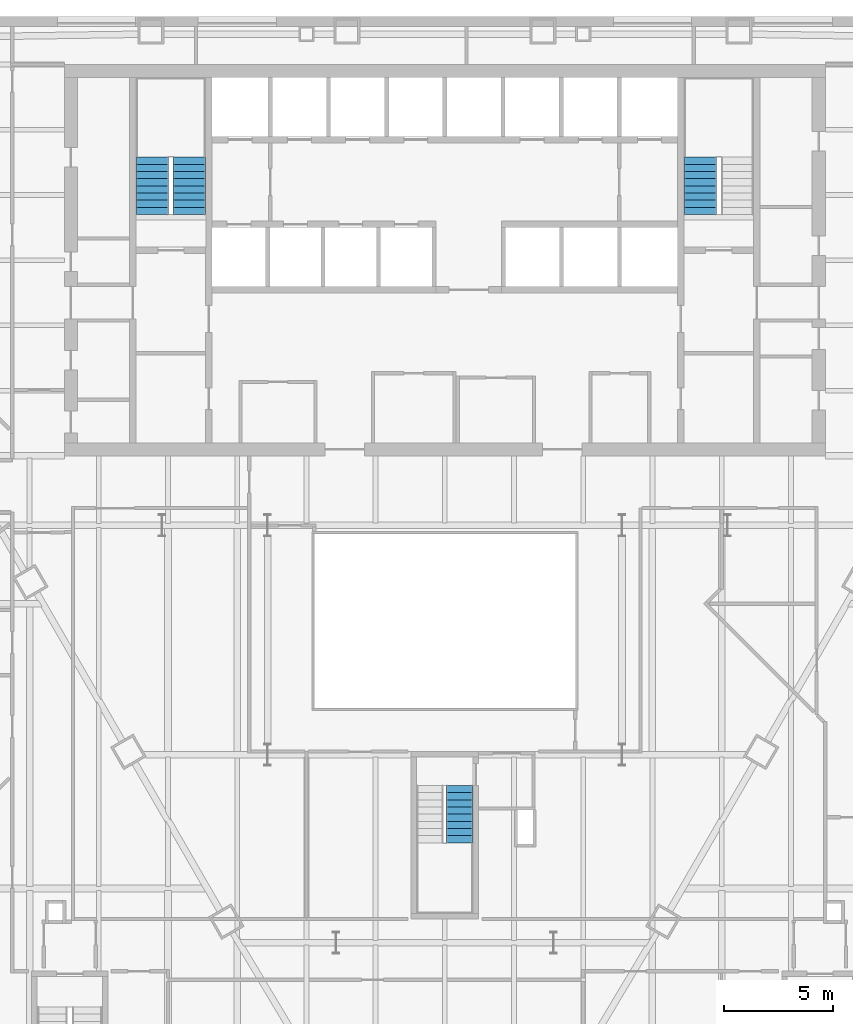
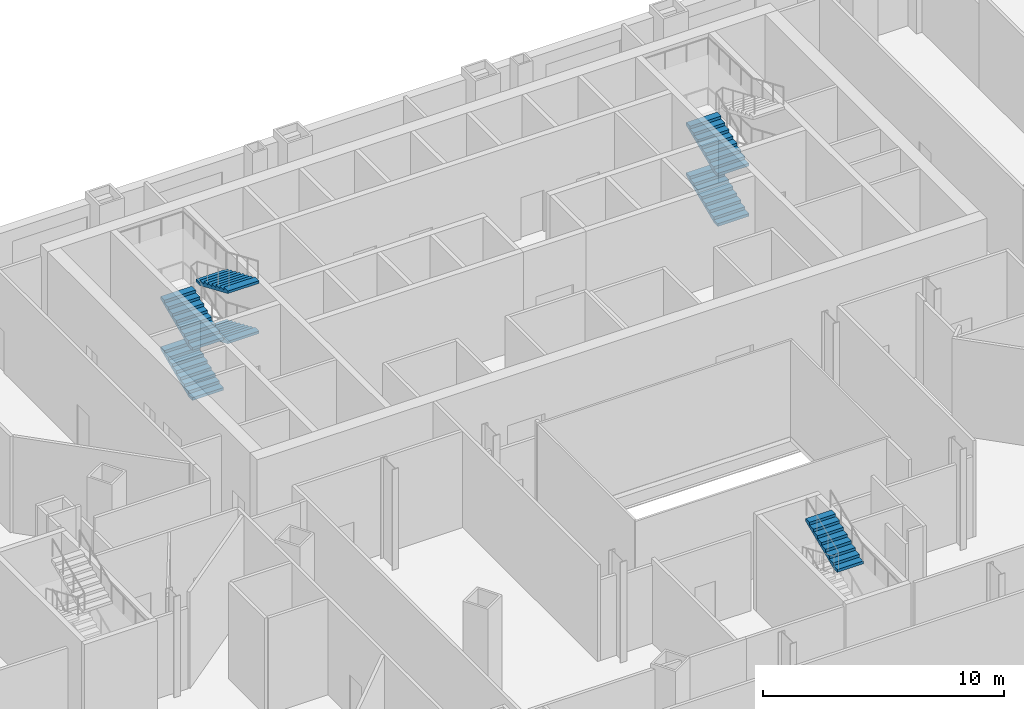
# One storey, part 18 of 21: 7 stair flights, 3 elements without a shape of their own.
"""IFC4 building model written with IfcOpenShell, lengths in metres."""

import ifcopenshell
import ifcopenshell.guid

model = None  # the IFC model being written
_history = None  # IfcOwnerHistory: only IFC2X3 demands one
_inside = {}  # id of a spatial element -> (the spatial element, [elements in it])
_under = {}  # id of a project, library or spatial element -> (it, [spatial elements below it])
_declared = {}  # id of a project -> (the project, [libraries it declares])
_typed = {}  # id of a type object -> (the type object, [elements of that type])
_made_of = {}  # id of a material, layer set ... -> (it, [elements and type objects made of it])


def new_model(schema):
    """Start an empty IFC model of exactly this schema.

    Asked for "IFC4X3", IfcOpenShell would pick the latest addendum, in which some entities
    have other attributes; the version numbers below select the first issue.
    IFC2X3 requires an IfcOwnerHistory on every rooted entity: one is made here for all.
    """
    global model, _history
    if schema == "IFC4X3":
        model = ifcopenshell.file(schema_version=(4, 3, 0, 0))
    else:
        model = ifcopenshell.file(schema=schema)
    _inside.clear()
    _under.clear()
    _declared.clear()
    _typed.clear()
    _made_of.clear()
    _history = None
    if model.schema == "IFC2X3":
        org = make("IfcOrganization", Name="unknown")
        user = make(
            "IfcPersonAndOrganization",
            ThePerson=make("IfcPerson", FamilyName="unknown"),
            TheOrganization=org,
        )
        app = make(
            "IfcApplication",
            ApplicationDeveloper=org,
            Version="unknown",
            ApplicationFullName="unknown",
            ApplicationIdentifier="unknown",
        )
        _history = make(
            "IfcOwnerHistory",
            OwningUser=user,
            OwningApplication=app,
            ChangeAction="ADDED",
            CreationDate=0,
        )
    return model


def make(cls, **values):
    """One entity of the class cls with the attributes given. An attribute that is None is left unset."""
    return model.create_entity(
        cls, **{name: value for name, value in values.items() if value is not None}
    )


def rooted(cls, **values):
    """An entity with a GlobalId (a new one), such as an element, a storey or a relation."""
    return make(cls, GlobalId=ifcopenshell.guid.new(), OwnerHistory=_history, **values)


def si_unit(unit_type, name, prefix=None):
    """IfcSIUnit, for example si_unit("LENGTHUNIT", "METRE", prefix="MILLI")."""
    return make("IfcSIUnit", UnitType=unit_type, Prefix=prefix, Name=name)


def assignment(units):
    """IfcUnitAssignment: the units of a project."""
    return None if units is None else make("IfcUnitAssignment", Units=units)


def point(xyz):
    """IfcCartesianPoint."""
    return None if xyz is None else make("IfcCartesianPoint", Coordinates=xyz)


def direction(xyz):
    """IfcDirection."""
    return None if xyz is None else make("IfcDirection", DirectionRatios=xyz)


def frame(location, z_axis=None, x_axis=None):
    """IfcAxis2Placement3D, a coordinate frame: its origin and axes. An axis left out is left unset."""
    return make(
        "IfcAxis2Placement3D",
        Location=point(location),
        Axis=direction(z_axis),
        RefDirection=direction(x_axis),
    )


def origin():
    """The frame at (0, 0, 0) with its axes left unset."""
    return frame((0.0, 0.0, 0.0))


def place(relative_to, where):
    """IfcLocalPlacement: puts the frame where relative to a parent placement (None: the world)."""
    return make(
        "IfcLocalPlacement", PlacementRelTo=relative_to, RelativePlacement=where
    )


def context(
    kind, dimensions, precision=None, world=None, true_north=None, identifier=None
):
    """IfcGeometricRepresentationContext, for example the 3D "Model" context."""
    return make(
        "IfcGeometricRepresentationContext",
        ContextIdentifier=identifier,
        ContextType=kind,
        CoordinateSpaceDimension=dimensions,
        Precision=precision,
        WorldCoordinateSystem=world,
        TrueNorth=true_north,
    )


def subcontext(parent, identifier, kind, view, scale=None):
    """IfcGeometricRepresentationSubContext, for example "Body" below "Model"."""
    return make(
        "IfcGeometricRepresentationSubContext",
        ContextIdentifier=identifier,
        ContextType=kind,
        ParentContext=parent,
        TargetScale=scale,
        TargetView=view,
    )


def project(units=None, contexts=None):
    """IfcProject with its units and contexts."""
    return rooted(
        "IfcProject",
        Name="project",
        RepresentationContexts=contexts,
        UnitsInContext=assignment(units),
    )


def spatial(cls, under=None, at=None, **own):
    """A site, building, storey or space (cls), placed at a placement, below another one or the project."""
    s = rooted(cls, ObjectPlacement=at, **own)
    if under is not None:
        _under.setdefault(under.id(), (under, []))[1].append(s)
    return s


def point_list(points):
    """IfcCartesianPointList2D or 3D."""
    cls = (
        "IfcCartesianPointList2D" if len(points[0]) == 2 else "IfcCartesianPointList3D"
    )
    return make(cls, CoordList=points)


def polygons(points, faces, closed=None, point_numbers=None):
    """IfcPolygonalFaceSet: a face is its outer loop, then its inner loops; points numbered from 1."""
    made = []
    for loops in faces:
        if len(loops) == 1:
            made.append(make("IfcIndexedPolygonalFace", CoordIndex=loops[0]))
        else:
            made.append(
                make(
                    "IfcIndexedPolygonalFaceWithVoids",
                    CoordIndex=loops[0],
                    InnerCoordIndices=loops[1:],
                )
            )
    return make(
        "IfcPolygonalFaceSet",
        Coordinates=point_list(points),
        Closed=closed,
        Faces=made,
        PnIndex=point_numbers,
    )


def shape(context_of_items, identifier, shape_type, items):
    """IfcShapeRepresentation: the items that make up one representation, for example the "Body"."""
    return make(
        "IfcShapeRepresentation",
        ContextOfItems=context_of_items,
        RepresentationIdentifier=identifier,
        RepresentationType=shape_type,
        Items=items,
    )


def material(Name=None, Category=None):
    """IfcMaterial."""
    return make("IfcMaterial", Name=Name, Category=Category)


def made_of(thing, what):
    """Note that an element or type object is made of a material, layer set ...; save() writes the relation."""
    if what is not None:
        _made_of.setdefault(what.id(), (what, []))[1].append(thing)
    return thing


def type_object(cls, material=None, **own):
    """A type object (cls), such as IfcWallType, which elements share."""
    return made_of(rooted(cls, **own), material)


def element(
    cls,
    number,
    at=None,
    inside=None,
    cuts=None,
    type_object=None,
    material=None,
    context=None,
    identifier="Body",
    shape_type=None,
    held_by="IfcProductDefinitionShape",
    body=None,
    shapes=None,
    **own,
):
    """One element of the class cls, such as IfcWall. Its Tag is "e" and its number.

    at: its placement. inside: the storey or other place that contains it. cuts: it is an
    opening in that element (IfcRelVoidsElement). A single representation is given by context,
    identifier, shape_type and body (its items); several are given by shapes. held_by: the class
    of the entity that holds the representations. save() writes the other relations.
    """
    e = rooted(cls, Tag="e%d" % number, ObjectPlacement=at, **own)
    if body is not None:
        shapes = [shape(context, identifier, shape_type, body)]
    if shapes is not None:
        e.Representation = make(held_by, Representations=shapes)
    if inside is not None:
        _inside.setdefault(inside.id(), (inside, []))[1].append(e)
    if cuts is not None:
        rooted(
            "IfcRelVoidsElement", RelatingBuildingElement=cuts, RelatedOpeningElement=e
        )
    if type_object is not None:
        _typed.setdefault(type_object.id(), (type_object, []))[1].append(e)
    return made_of(e, material)


def aggregate(whole, parts):
    """IfcRelAggregates: a whole, such as a stair, and the parts it consists of."""
    return rooted("IfcRelAggregates", RelatingObject=whole, RelatedObjects=parts)


def save(model, path):
    """Write the relations noted so far, then the file.

    IfcRelAggregates (storeys below a building ...), IfcRelContainedInSpatialStructure (elements
    in a storey), IfcRelDefinesByType, IfcRelAssociatesMaterial and IfcRelDeclares: one each for
    every whole, place, type object, material and project.
    """
    for whole, parts in _under.values():
        aggregate(whole, parts)
    for where, things in _inside.values():
        rooted(
            "IfcRelContainedInSpatialStructure",
            RelatedElements=things,
            RelatingStructure=where,
        )
    for kind, things in _typed.values():
        rooted("IfcRelDefinesByType", RelatedObjects=things, RelatingType=kind)
    for what, things in _made_of.values():
        rooted("IfcRelAssociatesMaterial", RelatedObjects=things, RelatingMaterial=what)
    for by, libraries in _declared.values():
        rooted("IfcRelDeclares", RelatingContext=by, RelatedDefinitions=libraries)
    model.write(path)


model = new_model("IFC4")

# Units and contexts
model_context = context("Model", 3, precision=1e-05, world=origin(), true_north=direction((0.0, 1.0)))
body_context = subcontext(model_context, "Body", "Model", "MODEL_VIEW")
ifc_project = project(units=[si_unit("LENGTHUNIT", "METRE"), si_unit("AREAUNIT", "SQUARE_METRE"), si_unit("VOLUMEUNIT", "CUBIC_METRE"), si_unit("PLANEANGLEUNIT", "RADIAN"), si_unit("MASSUNIT", "GRAM", prefix="KILO")], contexts=[model_context])

# Site, building, storey
site_placement = place(None, origin())
site = spatial("IfcSite", under=ifc_project, at=site_placement, CompositionType="ELEMENT")
building_placement = place(site_placement, origin())
building = spatial("IfcBuilding", under=site, at=building_placement, Name="Njiva Tower", CompositionType="ELEMENT")
storey_placement = place(building_placement, frame((0.0, 0.0, 13.5)))
storey = spatial("IfcBuildingStorey", under=building, at=storey_placement, Name="L02", CompositionType="ELEMENT", Elevation=13.5)

# Stair, stair flight
ifc_material = material(Name="Concrete C40/50", Category="concrete")
stair_type_1 = type_object("IfcStairType", Name="ST1 Exit stair 1250", PredefinedType="HALF_TURN_STAIR", material=ifc_material)
stair_1_placement = place(storey_placement, origin())
stair_1 = element("IfcStair", 1, at=stair_1_placement, inside=storey, type_object=stair_type_1, Name="Stair C", PredefinedType="DOUBLE_RETURN_STAIR")
stair_flight_type_1 = type_object("IfcStairFlightType", Name="FL1 Stair flight 1250", PredefinedType="STRAIGHT", material=ifc_material)
stair_flight_1_placement = place(storey_placement, frame((0.675, -17.8, 3.825), z_axis=(0.0, 0.0, 1.0), x_axis=(0.0, 1.0, 0.0)))
stair_flight_1 = element("IfcStairFlight", 2, at=stair_flight_1_placement, type_object=stair_flight_type_1, Name="ST-C flight 4", NumberOfRisers=9, NumberOfTreads=8, PredefinedType="STRAIGHT", RiserHeight=0.141666667, TreadLength=0.33, context=body_context, shape_type="Tessellation", body=[
    polygons([(0.0, 0.625, 0.0), (0.0, 0.3125, 0.0), (0.0, 0.0, 0.0), (0.0, -0.3125, 0.0), (0.0, -0.625, 0.0), (0.0, 0.625, 0.1417), (0.0, 0.3125, 0.1417), (0.0, 0.0, 0.1417), (0.0, -0.3125, 0.1417), (0.0, -0.625, 0.1417), (0.33, 0.625, 0.1417), (0.33, 0.3125, 0.1417), (0.33, 0.0, 0.1417), (0.33, -0.3125, 0.1417), (0.33, -0.625, 0.1417), (0.33, 0.625, 0.2833), (0.33, 0.3125, 0.2833), (0.33, 0.0, 0.2833), (0.33, -0.3125, 0.2833), (0.33, -0.625, 0.2833), (0.66, 0.625, 0.2833), (0.66, 0.3125, 0.2833), (0.66, 0.0, 0.2833), (0.66, -0.3125, 0.2833), (0.66, -0.625, 0.2833), (0.66, 0.625, 0.425), (0.66, 0.3125, 0.425), (0.66, 0.0, 0.425), (0.66, -0.3125, 0.425), (0.66, -0.625, 0.425), (0.99, 0.625, 0.425), (0.99, 0.3125, 0.425), (0.99, 0.0, 0.425), (0.99, -0.3125, 0.425), (0.99, -0.625, 0.425), (0.99, 0.625, 0.5667), (0.99, 0.3125, 0.5667), (0.99, 0.0, 0.5667), (0.99, -0.3125, 0.5667), (0.99, -0.625, 0.5667), (1.32, 0.625, 0.5667), (1.32, 0.3125, 0.5667), (1.32, 0.0, 0.5667), (1.32, -0.3125, 0.5667), (1.32, -0.625, 0.5667), (1.32, 0.625, 0.7083), (1.32, 0.3125, 0.7083), (1.32, 0.0, 0.7083), (1.32, -0.3125, 0.7083), (1.32, -0.625, 0.7083), (1.65, 0.625, 0.7083), (1.65, 0.3125, 0.7083), (1.65, 0.0, 0.7083), (1.65, -0.3125, 0.7083), (1.65, -0.625, 0.7083), (1.65, 0.625, 0.85), (1.65, 0.3125, 0.85), (1.65, 0.0, 0.85), (1.65, -0.3125, 0.85), (1.65, -0.625, 0.85), (1.98, 0.625, 0.85), (1.98, 0.3125, 0.85), (1.98, 0.0, 0.85), (1.98, -0.3125, 0.85), (1.98, -0.625, 0.85), (1.98, 0.625, 0.9917), (1.98, 0.3125, 0.9917), (1.98, 0.0, 0.9917), (1.98, -0.3125, 0.9917), (1.98, -0.625, 0.9917), (2.31, 0.625, 0.9917), (2.31, 0.3125, 0.9917), (2.31, 0.0, 0.9917), (2.31, -0.3125, 0.9917), (2.31, -0.625, 0.9917), (2.31, 0.625, 1.1333), (2.31, 0.3125, 1.1333), (2.31, 0.0, 1.1333), (2.31, -0.3125, 1.1333), (2.31, -0.625, 1.1333), (2.64, 0.625, 1.1333), (2.64, 0.3125, 1.1333), (2.64, 0.0, 1.1333), (2.64, -0.3125, 1.1333), (2.64, -0.625, 1.1333), (2.64, 0.625, 1.0027), (2.64, 0.3125, 1.0027), (2.64, 0.0, 1.0027), (2.64, -0.3125, 1.0027), (2.64, -0.625, 1.0027), (0.3042, 0.625, 0.0), (0.3042, 0.3125, 0.0), (0.3042, 0.0, 0.0), (0.3042, -0.3125, 0.0), (0.3042, -0.625, 0.0)], [[[1, 6, 11, 16, 21, 26, 31, 36, 41, 46, 51, 56, 61, 66, 71, 76, 81, 86, 91]], [[95, 90, 85, 80, 75, 70, 65, 60, 55, 50, 45, 40, 35, 30, 25, 20, 15, 10, 5]], [[6, 1, 2, 7]], [[7, 2, 3, 8]], [[8, 3, 4, 9]], [[9, 4, 5, 10]], [[11, 6, 7, 12]], [[12, 7, 8, 13]], [[13, 8, 9, 14]], [[14, 9, 10, 15]], [[16, 11, 12, 17]], [[17, 12, 13, 18]], [[18, 13, 14, 19]], [[19, 14, 15, 20]], [[21, 16, 17, 22]], [[22, 17, 18, 23]], [[23, 18, 19, 24]], [[24, 19, 20, 25]], [[26, 21, 22, 27]], [[27, 22, 23, 28]], [[28, 23, 24, 29]], [[29, 24, 25, 30]], [[31, 26, 27, 32]], [[32, 27, 28, 33]], [[33, 28, 29, 34]], [[34, 29, 30, 35]], [[36, 31, 32, 37]], [[37, 32, 33, 38]], [[38, 33, 34, 39]], [[39, 34, 35, 40]], [[41, 36, 37, 42]], [[42, 37, 38, 43]], [[43, 38, 39, 44]], [[44, 39, 40, 45]], [[46, 41, 42, 47]], [[47, 42, 43, 48]], [[48, 43, 44, 49]], [[49, 44, 45, 50]], [[51, 46, 47, 52]], [[52, 47, 48, 53]], [[53, 48, 49, 54]], [[54, 49, 50, 55]], [[56, 51, 52, 57]], [[57, 52, 53, 58]], [[58, 53, 54, 59]], [[59, 54, 55, 60]], [[61, 56, 57, 62]], [[62, 57, 58, 63]], [[63, 58, 59, 64]], [[64, 59, 60, 65]], [[66, 61, 62, 67]], [[67, 62, 63, 68]], [[68, 63, 64, 69]], [[69, 64, 65, 70]], [[71, 66, 67, 72]], [[72, 67, 68, 73]], [[73, 68, 69, 74]], [[74, 69, 70, 75]], [[76, 71, 72, 77]], [[77, 72, 73, 78]], [[78, 73, 74, 79]], [[79, 74, 75, 80]], [[81, 76, 77, 82]], [[82, 77, 78, 83]], [[83, 78, 79, 84]], [[84, 79, 80, 85]], [[86, 81, 82, 87]], [[87, 82, 83, 88]], [[88, 83, 84, 89]], [[89, 84, 85, 90]], [[91, 86, 87, 92]], [[92, 87, 88, 93]], [[93, 88, 89, 94]], [[94, 89, 90, 95]], [[1, 91, 92, 2]], [[2, 92, 93, 3]], [[3, 93, 94, 4]], [[4, 94, 95, 5]]], closed=True),
])
aggregate(stair_1, [stair_flight_1])

# Stair, stair flights
stair_type_2 = type_object("IfcStairType", Name="ST4 Exit stair 1500", PredefinedType="HALF_TURN_STAIR", material=ifc_material)
stair_2_placement = place(storey_placement, origin())
stair_2 = element("IfcStair", 3, at=stair_2_placement, inside=storey, type_object=stair_type_2, Name="Stair A", PredefinedType="DOUBLE_RETURN_STAIR")
stair_flight_type_2 = type_object("IfcStairFlightType", Name="FL4 Stair flight 1500", PredefinedType="STRAIGHT", material=ifc_material)
stair_flight_2_placement = place(storey_placement, frame((-13.45, 11.1, 0.0), z_axis=(0.0, 0.0, 1.0), x_axis=(0.0, 1.0, 0.0)))
stair_flight_2 = element("IfcStairFlight", 4, at=stair_flight_2_placement, type_object=stair_flight_type_2, Name="ST-A flight 1", NumberOfRisers=9, NumberOfTreads=8, PredefinedType="STRAIGHT", RiserHeight=0.141666667, TreadLength=0.33, context=body_context, shape_type="Tessellation", body=[
    polygons([(0.0, 0.75, 0.0), (0.0, 0.375, 0.0), (0.0, 0.0, 0.0), (0.0, -0.375, 0.0), (0.0, -0.75, 0.0), (0.0, 0.75, 0.1417), (0.0, 0.375, 0.1417), (0.0, 0.0, 0.1417), (0.0, -0.375, 0.1417), (0.0, -0.75, 0.1417), (0.33, 0.75, 0.1417), (0.33, 0.375, 0.1417), (0.33, 0.0, 0.1417), (0.33, -0.375, 0.1417), (0.33, -0.75, 0.1417), (0.33, 0.75, 0.2833), (0.33, 0.375, 0.2833), (0.33, 0.0, 0.2833), (0.33, -0.375, 0.2833), (0.33, -0.75, 0.2833), (0.66, 0.75, 0.2833), (0.66, 0.375, 0.2833), (0.66, 0.0, 0.2833), (0.66, -0.375, 0.2833), (0.66, -0.75, 0.2833), (0.66, 0.75, 0.425), (0.66, 0.375, 0.425), (0.66, 0.0, 0.425), (0.66, -0.375, 0.425), (0.66, -0.75, 0.425), (0.99, 0.75, 0.425), (0.99, 0.375, 0.425), (0.99, 0.0, 0.425), (0.99, -0.375, 0.425), (0.99, -0.75, 0.425), (0.99, 0.75, 0.5667), (0.99, 0.375, 0.5667), (0.99, 0.0, 0.5667), (0.99, -0.375, 0.5667), (0.99, -0.75, 0.5667), (1.32, 0.75, 0.5667), (1.32, 0.375, 0.5667), (1.32, 0.0, 0.5667), (1.32, -0.375, 0.5667), (1.32, -0.75, 0.5667), (1.32, 0.75, 0.7083), (1.32, 0.375, 0.7083), (1.32, 0.0, 0.7083), (1.32, -0.375, 0.7083), (1.32, -0.75, 0.7083), (1.65, 0.75, 0.7083), (1.65, 0.375, 0.7083), (1.65, 0.0, 0.7083), (1.65, -0.375, 0.7083), (1.65, -0.75, 0.7083), (1.65, 0.75, 0.85), (1.65, 0.375, 0.85), (1.65, 0.0, 0.85), (1.65, -0.375, 0.85), (1.65, -0.75, 0.85), (1.98, 0.75, 0.85), (1.98, 0.375, 0.85), (1.98, 0.0, 0.85), (1.98, -0.375, 0.85), (1.98, -0.75, 0.85), (1.98, 0.75, 0.9917), (1.98, 0.375, 0.9917), (1.98, 0.0, 0.9917), (1.98, -0.375, 0.9917), (1.98, -0.75, 0.9917), (2.31, 0.75, 0.9917), (2.31, 0.375, 0.9917), (2.31, 0.0, 0.9917), (2.31, -0.375, 0.9917), (2.31, -0.75, 0.9917), (2.31, 0.75, 1.1333), (2.31, 0.375, 1.1333), (2.31, 0.0, 1.1333), (2.31, -0.375, 1.1333), (2.31, -0.75, 1.1333), (2.64, 0.75, 1.1333), (2.64, 0.375, 1.1333), (2.64, 0.0, 1.1333), (2.64, -0.375, 1.1333), (2.64, -0.75, 1.1333), (2.64, 0.75, 1.0027), (2.64, 0.375, 1.0027), (2.64, 0.0, 1.0027), (2.64, -0.375, 1.0027), (2.64, -0.75, 1.0027), (0.3042, 0.75, 0.0), (0.3042, 0.375, 0.0), (0.3042, 0.0, 0.0), (0.3042, -0.375, 0.0), (0.3042, -0.75, 0.0)], [[[1, 6, 11, 16, 21, 26, 31, 36, 41, 46, 51, 56, 61, 66, 71, 76, 81, 86, 91]], [[95, 90, 85, 80, 75, 70, 65, 60, 55, 50, 45, 40, 35, 30, 25, 20, 15, 10, 5]], [[6, 1, 2, 7]], [[7, 2, 3, 8]], [[8, 3, 4, 9]], [[9, 4, 5, 10]], [[11, 6, 7, 12]], [[12, 7, 8, 13]], [[13, 8, 9, 14]], [[14, 9, 10, 15]], [[16, 11, 12, 17]], [[17, 12, 13, 18]], [[18, 13, 14, 19]], [[19, 14, 15, 20]], [[21, 16, 17, 22]], [[22, 17, 18, 23]], [[23, 18, 19, 24]], [[24, 19, 20, 25]], [[26, 21, 22, 27]], [[27, 22, 23, 28]], [[28, 23, 24, 29]], [[29, 24, 25, 30]], [[31, 26, 27, 32]], [[32, 27, 28, 33]], [[33, 28, 29, 34]], [[34, 29, 30, 35]], [[36, 31, 32, 37]], [[37, 32, 33, 38]], [[38, 33, 34, 39]], [[39, 34, 35, 40]], [[41, 36, 37, 42]], [[42, 37, 38, 43]], [[43, 38, 39, 44]], [[44, 39, 40, 45]], [[46, 41, 42, 47]], [[47, 42, 43, 48]], [[48, 43, 44, 49]], [[49, 44, 45, 50]], [[51, 46, 47, 52]], [[52, 47, 48, 53]], [[53, 48, 49, 54]], [[54, 49, 50, 55]], [[56, 51, 52, 57]], [[57, 52, 53, 58]], [[58, 53, 54, 59]], [[59, 54, 55, 60]], [[61, 56, 57, 62]], [[62, 57, 58, 63]], [[63, 58, 59, 64]], [[64, 59, 60, 65]], [[66, 61, 62, 67]], [[67, 62, 63, 68]], [[68, 63, 64, 69]], [[69, 64, 65, 70]], [[71, 66, 67, 72]], [[72, 67, 68, 73]], [[73, 68, 69, 74]], [[74, 69, 70, 75]], [[76, 71, 72, 77]], [[77, 72, 73, 78]], [[78, 73, 74, 79]], [[79, 74, 75, 80]], [[81, 76, 77, 82]], [[82, 77, 78, 83]], [[83, 78, 79, 84]], [[84, 79, 80, 85]], [[86, 81, 82, 87]], [[87, 82, 83, 88]], [[88, 83, 84, 89]], [[89, 84, 85, 90]], [[91, 86, 87, 92]], [[92, 87, 88, 93]], [[93, 88, 89, 94]], [[94, 89, 90, 95]], [[1, 91, 92, 2]], [[2, 92, 93, 3]], [[3, 93, 94, 4]], [[4, 94, 95, 5]]], closed=True),
])
stair_flight_3_placement = place(storey_placement, frame((-11.75, 13.74, 1.275), z_axis=(0.0, 0.0, 1.0), x_axis=(0.0, -1.0, 0.0)))
stair_flight_3 = element("IfcStairFlight", 5, at=stair_flight_3_placement, type_object=stair_flight_type_2, Name="ST-A flight 2", NumberOfRisers=9, NumberOfTreads=8, PredefinedType="STRAIGHT", RiserHeight=0.141666667, TreadLength=0.33, context=body_context, shape_type="Tessellation", body=[
    polygons([(0.0, 0.75, 0.0), (0.0, 0.375, 0.0), (0.0, 0.0, 0.0), (0.0, -0.375, 0.0), (0.0, -0.75, 0.0), (0.0, 0.75, 0.1417), (0.0, 0.375, 0.1417), (0.0, 0.0, 0.1417), (0.0, -0.375, 0.1417), (0.0, -0.75, 0.1417), (0.33, 0.75, 0.1417), (0.33, 0.375, 0.1417), (0.33, 0.0, 0.1417), (0.33, -0.375, 0.1417), (0.33, -0.75, 0.1417), (0.33, 0.75, 0.2833), (0.33, 0.375, 0.2833), (0.33, 0.0, 0.2833), (0.33, -0.375, 0.2833), (0.33, -0.75, 0.2833), (0.66, 0.75, 0.2833), (0.66, 0.375, 0.2833), (0.66, 0.0, 0.2833), (0.66, -0.375, 0.2833), (0.66, -0.75, 0.2833), (0.66, 0.75, 0.425), (0.66, 0.375, 0.425), (0.66, 0.0, 0.425), (0.66, -0.375, 0.425), (0.66, -0.75, 0.425), (0.99, 0.75, 0.425), (0.99, 0.375, 0.425), (0.99, 0.0, 0.425), (0.99, -0.375, 0.425), (0.99, -0.75, 0.425), (0.99, 0.75, 0.5667), (0.99, 0.375, 0.5667), (0.99, 0.0, 0.5667), (0.99, -0.375, 0.5667), (0.99, -0.75, 0.5667), (1.32, 0.75, 0.5667), (1.32, 0.375, 0.5667), (1.32, 0.0, 0.5667), (1.32, -0.375, 0.5667), (1.32, -0.75, 0.5667), (1.32, 0.75, 0.7083), (1.32, 0.375, 0.7083), (1.32, 0.0, 0.7083), (1.32, -0.375, 0.7083), (1.32, -0.75, 0.7083), (1.65, 0.75, 0.7083), (1.65, 0.375, 0.7083), (1.65, 0.0, 0.7083), (1.65, -0.375, 0.7083), (1.65, -0.75, 0.7083), (1.65, 0.75, 0.85), (1.65, 0.375, 0.85), (1.65, 0.0, 0.85), (1.65, -0.375, 0.85), (1.65, -0.75, 0.85), (1.98, 0.75, 0.85), (1.98, 0.375, 0.85), (1.98, 0.0, 0.85), (1.98, -0.375, 0.85), (1.98, -0.75, 0.85), (1.98, 0.75, 0.9917), (1.98, 0.375, 0.9917), (1.98, 0.0, 0.9917), (1.98, -0.375, 0.9917), (1.98, -0.75, 0.9917), (2.31, 0.75, 0.9917), (2.31, 0.375, 0.9917), (2.31, 0.0, 0.9917), (2.31, -0.375, 0.9917), (2.31, -0.75, 0.9917), (2.31, 0.75, 1.1333), (2.31, 0.375, 1.1333), (2.31, 0.0, 1.1333), (2.31, -0.375, 1.1333), (2.31, -0.75, 1.1333), (2.64, 0.75, 1.1333), (2.64, 0.375, 1.1333), (2.64, 0.0, 1.1333), (2.64, -0.375, 1.1333), (2.64, -0.75, 1.1333), (2.64, 0.75, 1.0027), (2.64, 0.375, 1.0027), (2.64, 0.0, 1.0027), (2.64, -0.375, 1.0027), (2.64, -0.75, 1.0027), (0.3042, 0.75, 0.0), (0.3042, 0.375, 0.0), (0.3042, 0.0, 0.0), (0.3042, -0.375, 0.0), (0.3042, -0.75, 0.0)], [[[1, 6, 11, 16, 21, 26, 31, 36, 41, 46, 51, 56, 61, 66, 71, 76, 81, 86, 91]], [[95, 90, 85, 80, 75, 70, 65, 60, 55, 50, 45, 40, 35, 30, 25, 20, 15, 10, 5]], [[6, 1, 2, 7]], [[7, 2, 3, 8]], [[8, 3, 4, 9]], [[9, 4, 5, 10]], [[11, 6, 7, 12]], [[12, 7, 8, 13]], [[13, 8, 9, 14]], [[14, 9, 10, 15]], [[16, 11, 12, 17]], [[17, 12, 13, 18]], [[18, 13, 14, 19]], [[19, 14, 15, 20]], [[21, 16, 17, 22]], [[22, 17, 18, 23]], [[23, 18, 19, 24]], [[24, 19, 20, 25]], [[26, 21, 22, 27]], [[27, 22, 23, 28]], [[28, 23, 24, 29]], [[29, 24, 25, 30]], [[31, 26, 27, 32]], [[32, 27, 28, 33]], [[33, 28, 29, 34]], [[34, 29, 30, 35]], [[36, 31, 32, 37]], [[37, 32, 33, 38]], [[38, 33, 34, 39]], [[39, 34, 35, 40]], [[41, 36, 37, 42]], [[42, 37, 38, 43]], [[43, 38, 39, 44]], [[44, 39, 40, 45]], [[46, 41, 42, 47]], [[47, 42, 43, 48]], [[48, 43, 44, 49]], [[49, 44, 45, 50]], [[51, 46, 47, 52]], [[52, 47, 48, 53]], [[53, 48, 49, 54]], [[54, 49, 50, 55]], [[56, 51, 52, 57]], [[57, 52, 53, 58]], [[58, 53, 54, 59]], [[59, 54, 55, 60]], [[61, 56, 57, 62]], [[62, 57, 58, 63]], [[63, 58, 59, 64]], [[64, 59, 60, 65]], [[66, 61, 62, 67]], [[67, 62, 63, 68]], [[68, 63, 64, 69]], [[69, 64, 65, 70]], [[71, 66, 67, 72]], [[72, 67, 68, 73]], [[73, 68, 69, 74]], [[74, 69, 70, 75]], [[76, 71, 72, 77]], [[77, 72, 73, 78]], [[78, 73, 74, 79]], [[79, 74, 75, 80]], [[81, 76, 77, 82]], [[82, 77, 78, 83]], [[83, 78, 79, 84]], [[84, 79, 80, 85]], [[86, 81, 82, 87]], [[87, 82, 83, 88]], [[88, 83, 84, 89]], [[89, 84, 85, 90]], [[91, 86, 87, 92]], [[92, 87, 88, 93]], [[93, 88, 89, 94]], [[94, 89, 90, 95]], [[1, 91, 92, 2]], [[2, 92, 93, 3]], [[3, 93, 94, 4]], [[4, 94, 95, 5]]], closed=True),
])
stair_flight_4_placement = place(storey_placement, frame((-13.45, 11.1, 2.55), z_axis=(0.0, 0.0, 1.0), x_axis=(0.0, 1.0, 0.0)))
stair_flight_4 = element("IfcStairFlight", 6, at=stair_flight_4_placement, type_object=stair_flight_type_2, Name="ST-A flight 3", NumberOfRisers=9, NumberOfTreads=8, PredefinedType="STRAIGHT", RiserHeight=0.141666667, TreadLength=0.33, context=body_context, shape_type="Tessellation", body=[
    polygons([(0.0, 0.75, 0.0), (0.0, 0.375, 0.0), (0.0, 0.0, 0.0), (0.0, -0.375, 0.0), (0.0, -0.75, 0.0), (0.0, 0.75, 0.1417), (0.0, 0.375, 0.1417), (0.0, 0.0, 0.1417), (0.0, -0.375, 0.1417), (0.0, -0.75, 0.1417), (0.33, 0.75, 0.1417), (0.33, 0.375, 0.1417), (0.33, 0.0, 0.1417), (0.33, -0.375, 0.1417), (0.33, -0.75, 0.1417), (0.33, 0.75, 0.2833), (0.33, 0.375, 0.2833), (0.33, 0.0, 0.2833), (0.33, -0.375, 0.2833), (0.33, -0.75, 0.2833), (0.66, 0.75, 0.2833), (0.66, 0.375, 0.2833), (0.66, 0.0, 0.2833), (0.66, -0.375, 0.2833), (0.66, -0.75, 0.2833), (0.66, 0.75, 0.425), (0.66, 0.375, 0.425), (0.66, 0.0, 0.425), (0.66, -0.375, 0.425), (0.66, -0.75, 0.425), (0.99, 0.75, 0.425), (0.99, 0.375, 0.425), (0.99, 0.0, 0.425), (0.99, -0.375, 0.425), (0.99, -0.75, 0.425), (0.99, 0.75, 0.5667), (0.99, 0.375, 0.5667), (0.99, 0.0, 0.5667), (0.99, -0.375, 0.5667), (0.99, -0.75, 0.5667), (1.32, 0.75, 0.5667), (1.32, 0.375, 0.5667), (1.32, 0.0, 0.5667), (1.32, -0.375, 0.5667), (1.32, -0.75, 0.5667), (1.32, 0.75, 0.7083), (1.32, 0.375, 0.7083), (1.32, 0.0, 0.7083), (1.32, -0.375, 0.7083), (1.32, -0.75, 0.7083), (1.65, 0.75, 0.7083), (1.65, 0.375, 0.7083), (1.65, 0.0, 0.7083), (1.65, -0.375, 0.7083), (1.65, -0.75, 0.7083), (1.65, 0.75, 0.85), (1.65, 0.375, 0.85), (1.65, 0.0, 0.85), (1.65, -0.375, 0.85), (1.65, -0.75, 0.85), (1.98, 0.75, 0.85), (1.98, 0.375, 0.85), (1.98, 0.0, 0.85), (1.98, -0.375, 0.85), (1.98, -0.75, 0.85), (1.98, 0.75, 0.9917), (1.98, 0.375, 0.9917), (1.98, 0.0, 0.9917), (1.98, -0.375, 0.9917), (1.98, -0.75, 0.9917), (2.31, 0.75, 0.9917), (2.31, 0.375, 0.9917), (2.31, 0.0, 0.9917), (2.31, -0.375, 0.9917), (2.31, -0.75, 0.9917), (2.31, 0.75, 1.1333), (2.31, 0.375, 1.1333), (2.31, 0.0, 1.1333), (2.31, -0.375, 1.1333), (2.31, -0.75, 1.1333), (2.64, 0.75, 1.1333), (2.64, 0.375, 1.1333), (2.64, 0.0, 1.1333), (2.64, -0.375, 1.1333), (2.64, -0.75, 1.1333), (2.64, 0.75, 1.0027), (2.64, 0.375, 1.0027), (2.64, 0.0, 1.0027), (2.64, -0.375, 1.0027), (2.64, -0.75, 1.0027), (0.3042, 0.75, 0.0), (0.3042, 0.375, 0.0), (0.3042, 0.0, 0.0), (0.3042, -0.375, 0.0), (0.3042, -0.75, 0.0)], [[[1, 6, 11, 16, 21, 26, 31, 36, 41, 46, 51, 56, 61, 66, 71, 76, 81, 86, 91]], [[95, 90, 85, 80, 75, 70, 65, 60, 55, 50, 45, 40, 35, 30, 25, 20, 15, 10, 5]], [[6, 1, 2, 7]], [[7, 2, 3, 8]], [[8, 3, 4, 9]], [[9, 4, 5, 10]], [[11, 6, 7, 12]], [[12, 7, 8, 13]], [[13, 8, 9, 14]], [[14, 9, 10, 15]], [[16, 11, 12, 17]], [[17, 12, 13, 18]], [[18, 13, 14, 19]], [[19, 14, 15, 20]], [[21, 16, 17, 22]], [[22, 17, 18, 23]], [[23, 18, 19, 24]], [[24, 19, 20, 25]], [[26, 21, 22, 27]], [[27, 22, 23, 28]], [[28, 23, 24, 29]], [[29, 24, 25, 30]], [[31, 26, 27, 32]], [[32, 27, 28, 33]], [[33, 28, 29, 34]], [[34, 29, 30, 35]], [[36, 31, 32, 37]], [[37, 32, 33, 38]], [[38, 33, 34, 39]], [[39, 34, 35, 40]], [[41, 36, 37, 42]], [[42, 37, 38, 43]], [[43, 38, 39, 44]], [[44, 39, 40, 45]], [[46, 41, 42, 47]], [[47, 42, 43, 48]], [[48, 43, 44, 49]], [[49, 44, 45, 50]], [[51, 46, 47, 52]], [[52, 47, 48, 53]], [[53, 48, 49, 54]], [[54, 49, 50, 55]], [[56, 51, 52, 57]], [[57, 52, 53, 58]], [[58, 53, 54, 59]], [[59, 54, 55, 60]], [[61, 56, 57, 62]], [[62, 57, 58, 63]], [[63, 58, 59, 64]], [[64, 59, 60, 65]], [[66, 61, 62, 67]], [[67, 62, 63, 68]], [[68, 63, 64, 69]], [[69, 64, 65, 70]], [[71, 66, 67, 72]], [[72, 67, 68, 73]], [[73, 68, 69, 74]], [[74, 69, 70, 75]], [[76, 71, 72, 77]], [[77, 72, 73, 78]], [[78, 73, 74, 79]], [[79, 74, 75, 80]], [[81, 76, 77, 82]], [[82, 77, 78, 83]], [[83, 78, 79, 84]], [[84, 79, 80, 85]], [[86, 81, 82, 87]], [[87, 82, 83, 88]], [[88, 83, 84, 89]], [[89, 84, 85, 90]], [[91, 86, 87, 92]], [[92, 87, 88, 93]], [[93, 88, 89, 94]], [[94, 89, 90, 95]], [[1, 91, 92, 2]], [[2, 92, 93, 3]], [[3, 93, 94, 4]], [[4, 94, 95, 5]]], closed=True),
])
stair_flight_5_placement = place(storey_placement, frame((-11.75, 13.74, 3.825), z_axis=(0.0, 0.0, 1.0), x_axis=(0.0, -1.0, 0.0)))
stair_flight_5 = element("IfcStairFlight", 7, at=stair_flight_5_placement, type_object=stair_flight_type_2, Name="ST-A flight 4", NumberOfRisers=9, NumberOfTreads=8, PredefinedType="STRAIGHT", RiserHeight=0.141666667, TreadLength=0.33, context=body_context, shape_type="Tessellation", body=[
    polygons([(0.0, 0.75, 0.0), (0.0, 0.375, 0.0), (0.0, 0.0, 0.0), (0.0, -0.375, 0.0), (0.0, -0.75, 0.0), (0.0, 0.75, 0.1417), (0.0, 0.375, 0.1417), (0.0, 0.0, 0.1417), (0.0, -0.375, 0.1417), (0.0, -0.75, 0.1417), (0.33, 0.75, 0.1417), (0.33, 0.375, 0.1417), (0.33, 0.0, 0.1417), (0.33, -0.375, 0.1417), (0.33, -0.75, 0.1417), (0.33, 0.75, 0.2833), (0.33, 0.375, 0.2833), (0.33, 0.0, 0.2833), (0.33, -0.375, 0.2833), (0.33, -0.75, 0.2833), (0.66, 0.75, 0.2833), (0.66, 0.375, 0.2833), (0.66, 0.0, 0.2833), (0.66, -0.375, 0.2833), (0.66, -0.75, 0.2833), (0.66, 0.75, 0.425), (0.66, 0.375, 0.425), (0.66, 0.0, 0.425), (0.66, -0.375, 0.425), (0.66, -0.75, 0.425), (0.99, 0.75, 0.425), (0.99, 0.375, 0.425), (0.99, 0.0, 0.425), (0.99, -0.375, 0.425), (0.99, -0.75, 0.425), (0.99, 0.75, 0.5667), (0.99, 0.375, 0.5667), (0.99, 0.0, 0.5667), (0.99, -0.375, 0.5667), (0.99, -0.75, 0.5667), (1.32, 0.75, 0.5667), (1.32, 0.375, 0.5667), (1.32, 0.0, 0.5667), (1.32, -0.375, 0.5667), (1.32, -0.75, 0.5667), (1.32, 0.75, 0.7083), (1.32, 0.375, 0.7083), (1.32, 0.0, 0.7083), (1.32, -0.375, 0.7083), (1.32, -0.75, 0.7083), (1.65, 0.75, 0.7083), (1.65, 0.375, 0.7083), (1.65, 0.0, 0.7083), (1.65, -0.375, 0.7083), (1.65, -0.75, 0.7083), (1.65, 0.75, 0.85), (1.65, 0.375, 0.85), (1.65, 0.0, 0.85), (1.65, -0.375, 0.85), (1.65, -0.75, 0.85), (1.98, 0.75, 0.85), (1.98, 0.375, 0.85), (1.98, 0.0, 0.85), (1.98, -0.375, 0.85), (1.98, -0.75, 0.85), (1.98, 0.75, 0.9917), (1.98, 0.375, 0.9917), (1.98, 0.0, 0.9917), (1.98, -0.375, 0.9917), (1.98, -0.75, 0.9917), (2.31, 0.75, 0.9917), (2.31, 0.375, 0.9917), (2.31, 0.0, 0.9917), (2.31, -0.375, 0.9917), (2.31, -0.75, 0.9917), (2.31, 0.75, 1.1333), (2.31, 0.375, 1.1333), (2.31, 0.0, 1.1333), (2.31, -0.375, 1.1333), (2.31, -0.75, 1.1333), (2.64, 0.75, 1.1333), (2.64, 0.375, 1.1333), (2.64, 0.0, 1.1333), (2.64, -0.375, 1.1333), (2.64, -0.75, 1.1333), (2.64, 0.75, 1.0027), (2.64, 0.375, 1.0027), (2.64, 0.0, 1.0027), (2.64, -0.375, 1.0027), (2.64, -0.75, 1.0027), (0.3042, 0.75, 0.0), (0.3042, 0.375, 0.0), (0.3042, 0.0, 0.0), (0.3042, -0.375, 0.0), (0.3042, -0.75, 0.0)], [[[1, 6, 11, 16, 21, 26, 31, 36, 41, 46, 51, 56, 61, 66, 71, 76, 81, 86, 91]], [[95, 90, 85, 80, 75, 70, 65, 60, 55, 50, 45, 40, 35, 30, 25, 20, 15, 10, 5]], [[6, 1, 2, 7]], [[7, 2, 3, 8]], [[8, 3, 4, 9]], [[9, 4, 5, 10]], [[11, 6, 7, 12]], [[12, 7, 8, 13]], [[13, 8, 9, 14]], [[14, 9, 10, 15]], [[16, 11, 12, 17]], [[17, 12, 13, 18]], [[18, 13, 14, 19]], [[19, 14, 15, 20]], [[21, 16, 17, 22]], [[22, 17, 18, 23]], [[23, 18, 19, 24]], [[24, 19, 20, 25]], [[26, 21, 22, 27]], [[27, 22, 23, 28]], [[28, 23, 24, 29]], [[29, 24, 25, 30]], [[31, 26, 27, 32]], [[32, 27, 28, 33]], [[33, 28, 29, 34]], [[34, 29, 30, 35]], [[36, 31, 32, 37]], [[37, 32, 33, 38]], [[38, 33, 34, 39]], [[39, 34, 35, 40]], [[41, 36, 37, 42]], [[42, 37, 38, 43]], [[43, 38, 39, 44]], [[44, 39, 40, 45]], [[46, 41, 42, 47]], [[47, 42, 43, 48]], [[48, 43, 44, 49]], [[49, 44, 45, 50]], [[51, 46, 47, 52]], [[52, 47, 48, 53]], [[53, 48, 49, 54]], [[54, 49, 50, 55]], [[56, 51, 52, 57]], [[57, 52, 53, 58]], [[58, 53, 54, 59]], [[59, 54, 55, 60]], [[61, 56, 57, 62]], [[62, 57, 58, 63]], [[63, 58, 59, 64]], [[64, 59, 60, 65]], [[66, 61, 62, 67]], [[67, 62, 63, 68]], [[68, 63, 64, 69]], [[69, 64, 65, 70]], [[71, 66, 67, 72]], [[72, 67, 68, 73]], [[73, 68, 69, 74]], [[74, 69, 70, 75]], [[76, 71, 72, 77]], [[77, 72, 73, 78]], [[78, 73, 74, 79]], [[79, 74, 75, 80]], [[81, 76, 77, 82]], [[82, 77, 78, 83]], [[83, 78, 79, 84]], [[84, 79, 80, 85]], [[86, 81, 82, 87]], [[87, 82, 83, 88]], [[88, 83, 84, 89]], [[89, 84, 85, 90]], [[91, 86, 87, 92]], [[92, 87, 88, 93]], [[93, 88, 89, 94]], [[94, 89, 90, 95]], [[1, 91, 92, 2]], [[2, 92, 93, 3]], [[3, 93, 94, 4]], [[4, 94, 95, 5]]], closed=True),
])
aggregate(stair_2, [stair_flight_2, stair_flight_3, stair_flight_4, stair_flight_5])

stair_3_placement = place(storey_placement, origin())
stair_3 = element("IfcStair", 8, at=stair_3_placement, inside=storey, type_object=stair_type_2, Name="Stair B", PredefinedType="DOUBLE_RETURN_STAIR")
stair_flight_6_placement = place(storey_placement, frame((11.75, 11.1, 0.0), z_axis=(0.0, 0.0, 1.0), x_axis=(0.0, 1.0, 0.0)))
stair_flight_6 = element("IfcStairFlight", 9, at=stair_flight_6_placement, type_object=stair_flight_type_2, Name="ST-B flight 1", NumberOfRisers=9, NumberOfTreads=8, PredefinedType="STRAIGHT", RiserHeight=0.141666667, TreadLength=0.33, context=body_context, shape_type="Tessellation", body=[
    polygons([(0.0, 0.75, 0.0), (0.0, 0.375, 0.0), (0.0, 0.0, 0.0), (0.0, -0.375, 0.0), (0.0, -0.75, 0.0), (0.0, 0.75, 0.1417), (0.0, 0.375, 0.1417), (0.0, 0.0, 0.1417), (0.0, -0.375, 0.1417), (0.0, -0.75, 0.1417), (0.33, 0.75, 0.1417), (0.33, 0.375, 0.1417), (0.33, 0.0, 0.1417), (0.33, -0.375, 0.1417), (0.33, -0.75, 0.1417), (0.33, 0.75, 0.2833), (0.33, 0.375, 0.2833), (0.33, 0.0, 0.2833), (0.33, -0.375, 0.2833), (0.33, -0.75, 0.2833), (0.66, 0.75, 0.2833), (0.66, 0.375, 0.2833), (0.66, 0.0, 0.2833), (0.66, -0.375, 0.2833), (0.66, -0.75, 0.2833), (0.66, 0.75, 0.425), (0.66, 0.375, 0.425), (0.66, 0.0, 0.425), (0.66, -0.375, 0.425), (0.66, -0.75, 0.425), (0.99, 0.75, 0.425), (0.99, 0.375, 0.425), (0.99, 0.0, 0.425), (0.99, -0.375, 0.425), (0.99, -0.75, 0.425), (0.99, 0.75, 0.5667), (0.99, 0.375, 0.5667), (0.99, 0.0, 0.5667), (0.99, -0.375, 0.5667), (0.99, -0.75, 0.5667), (1.32, 0.75, 0.5667), (1.32, 0.375, 0.5667), (1.32, 0.0, 0.5667), (1.32, -0.375, 0.5667), (1.32, -0.75, 0.5667), (1.32, 0.75, 0.7083), (1.32, 0.375, 0.7083), (1.32, 0.0, 0.7083), (1.32, -0.375, 0.7083), (1.32, -0.75, 0.7083), (1.65, 0.75, 0.7083), (1.65, 0.375, 0.7083), (1.65, 0.0, 0.7083), (1.65, -0.375, 0.7083), (1.65, -0.75, 0.7083), (1.65, 0.75, 0.85), (1.65, 0.375, 0.85), (1.65, 0.0, 0.85), (1.65, -0.375, 0.85), (1.65, -0.75, 0.85), (1.98, 0.75, 0.85), (1.98, 0.375, 0.85), (1.98, 0.0, 0.85), (1.98, -0.375, 0.85), (1.98, -0.75, 0.85), (1.98, 0.75, 0.9917), (1.98, 0.375, 0.9917), (1.98, 0.0, 0.9917), (1.98, -0.375, 0.9917), (1.98, -0.75, 0.9917), (2.31, 0.75, 0.9917), (2.31, 0.375, 0.9917), (2.31, 0.0, 0.9917), (2.31, -0.375, 0.9917), (2.31, -0.75, 0.9917), (2.31, 0.75, 1.1333), (2.31, 0.375, 1.1333), (2.31, 0.0, 1.1333), (2.31, -0.375, 1.1333), (2.31, -0.75, 1.1333), (2.64, 0.75, 1.1333), (2.64, 0.375, 1.1333), (2.64, 0.0, 1.1333), (2.64, -0.375, 1.1333), (2.64, -0.75, 1.1333), (2.64, 0.75, 1.0027), (2.64, 0.375, 1.0027), (2.64, 0.0, 1.0027), (2.64, -0.375, 1.0027), (2.64, -0.75, 1.0027), (0.3042, 0.75, 0.0), (0.3042, 0.375, 0.0), (0.3042, 0.0, 0.0), (0.3042, -0.375, 0.0), (0.3042, -0.75, 0.0)], [[[1, 6, 11, 16, 21, 26, 31, 36, 41, 46, 51, 56, 61, 66, 71, 76, 81, 86, 91]], [[95, 90, 85, 80, 75, 70, 65, 60, 55, 50, 45, 40, 35, 30, 25, 20, 15, 10, 5]], [[6, 1, 2, 7]], [[7, 2, 3, 8]], [[8, 3, 4, 9]], [[9, 4, 5, 10]], [[11, 6, 7, 12]], [[12, 7, 8, 13]], [[13, 8, 9, 14]], [[14, 9, 10, 15]], [[16, 11, 12, 17]], [[17, 12, 13, 18]], [[18, 13, 14, 19]], [[19, 14, 15, 20]], [[21, 16, 17, 22]], [[22, 17, 18, 23]], [[23, 18, 19, 24]], [[24, 19, 20, 25]], [[26, 21, 22, 27]], [[27, 22, 23, 28]], [[28, 23, 24, 29]], [[29, 24, 25, 30]], [[31, 26, 27, 32]], [[32, 27, 28, 33]], [[33, 28, 29, 34]], [[34, 29, 30, 35]], [[36, 31, 32, 37]], [[37, 32, 33, 38]], [[38, 33, 34, 39]], [[39, 34, 35, 40]], [[41, 36, 37, 42]], [[42, 37, 38, 43]], [[43, 38, 39, 44]], [[44, 39, 40, 45]], [[46, 41, 42, 47]], [[47, 42, 43, 48]], [[48, 43, 44, 49]], [[49, 44, 45, 50]], [[51, 46, 47, 52]], [[52, 47, 48, 53]], [[53, 48, 49, 54]], [[54, 49, 50, 55]], [[56, 51, 52, 57]], [[57, 52, 53, 58]], [[58, 53, 54, 59]], [[59, 54, 55, 60]], [[61, 56, 57, 62]], [[62, 57, 58, 63]], [[63, 58, 59, 64]], [[64, 59, 60, 65]], [[66, 61, 62, 67]], [[67, 62, 63, 68]], [[68, 63, 64, 69]], [[69, 64, 65, 70]], [[71, 66, 67, 72]], [[72, 67, 68, 73]], [[73, 68, 69, 74]], [[74, 69, 70, 75]], [[76, 71, 72, 77]], [[77, 72, 73, 78]], [[78, 73, 74, 79]], [[79, 74, 75, 80]], [[81, 76, 77, 82]], [[82, 77, 78, 83]], [[83, 78, 79, 84]], [[84, 79, 80, 85]], [[86, 81, 82, 87]], [[87, 82, 83, 88]], [[88, 83, 84, 89]], [[89, 84, 85, 90]], [[91, 86, 87, 92]], [[92, 87, 88, 93]], [[93, 88, 89, 94]], [[94, 89, 90, 95]], [[1, 91, 92, 2]], [[2, 92, 93, 3]], [[3, 93, 94, 4]], [[4, 94, 95, 5]]], closed=True),
])
stair_flight_7_placement = place(storey_placement, frame((11.75, 11.1, 2.55), z_axis=(0.0, 0.0, 1.0), x_axis=(0.0, 1.0, 0.0)))
stair_flight_7 = element("IfcStairFlight", 10, at=stair_flight_7_placement, type_object=stair_flight_type_2, Name="ST-B flight 3", NumberOfRisers=9, NumberOfTreads=8, PredefinedType="STRAIGHT", RiserHeight=0.141666667, TreadLength=0.33, context=body_context, shape_type="Tessellation", body=[
    polygons([(0.0, 0.75, 0.0), (0.0, 0.375, 0.0), (0.0, 0.0, 0.0), (0.0, -0.375, 0.0), (0.0, -0.75, 0.0), (0.0, 0.75, 0.1417), (0.0, 0.375, 0.1417), (0.0, 0.0, 0.1417), (0.0, -0.375, 0.1417), (0.0, -0.75, 0.1417), (0.33, 0.75, 0.1417), (0.33, 0.375, 0.1417), (0.33, 0.0, 0.1417), (0.33, -0.375, 0.1417), (0.33, -0.75, 0.1417), (0.33, 0.75, 0.2833), (0.33, 0.375, 0.2833), (0.33, 0.0, 0.2833), (0.33, -0.375, 0.2833), (0.33, -0.75, 0.2833), (0.66, 0.75, 0.2833), (0.66, 0.375, 0.2833), (0.66, 0.0, 0.2833), (0.66, -0.375, 0.2833), (0.66, -0.75, 0.2833), (0.66, 0.75, 0.425), (0.66, 0.375, 0.425), (0.66, 0.0, 0.425), (0.66, -0.375, 0.425), (0.66, -0.75, 0.425), (0.99, 0.75, 0.425), (0.99, 0.375, 0.425), (0.99, 0.0, 0.425), (0.99, -0.375, 0.425), (0.99, -0.75, 0.425), (0.99, 0.75, 0.5667), (0.99, 0.375, 0.5667), (0.99, 0.0, 0.5667), (0.99, -0.375, 0.5667), (0.99, -0.75, 0.5667), (1.32, 0.75, 0.5667), (1.32, 0.375, 0.5667), (1.32, 0.0, 0.5667), (1.32, -0.375, 0.5667), (1.32, -0.75, 0.5667), (1.32, 0.75, 0.7083), (1.32, 0.375, 0.7083), (1.32, 0.0, 0.7083), (1.32, -0.375, 0.7083), (1.32, -0.75, 0.7083), (1.65, 0.75, 0.7083), (1.65, 0.375, 0.7083), (1.65, 0.0, 0.7083), (1.65, -0.375, 0.7083), (1.65, -0.75, 0.7083), (1.65, 0.75, 0.85), (1.65, 0.375, 0.85), (1.65, 0.0, 0.85), (1.65, -0.375, 0.85), (1.65, -0.75, 0.85), (1.98, 0.75, 0.85), (1.98, 0.375, 0.85), (1.98, 0.0, 0.85), (1.98, -0.375, 0.85), (1.98, -0.75, 0.85), (1.98, 0.75, 0.9917), (1.98, 0.375, 0.9917), (1.98, 0.0, 0.9917), (1.98, -0.375, 0.9917), (1.98, -0.75, 0.9917), (2.31, 0.75, 0.9917), (2.31, 0.375, 0.9917), (2.31, 0.0, 0.9917), (2.31, -0.375, 0.9917), (2.31, -0.75, 0.9917), (2.31, 0.75, 1.1333), (2.31, 0.375, 1.1333), (2.31, 0.0, 1.1333), (2.31, -0.375, 1.1333), (2.31, -0.75, 1.1333), (2.64, 0.75, 1.1333), (2.64, 0.375, 1.1333), (2.64, 0.0, 1.1333), (2.64, -0.375, 1.1333), (2.64, -0.75, 1.1333), (2.64, 0.75, 1.0027), (2.64, 0.375, 1.0027), (2.64, 0.0, 1.0027), (2.64, -0.375, 1.0027), (2.64, -0.75, 1.0027), (0.3042, 0.75, 0.0), (0.3042, 0.375, 0.0), (0.3042, 0.0, 0.0), (0.3042, -0.375, 0.0), (0.3042, -0.75, 0.0)], [[[1, 6, 11, 16, 21, 26, 31, 36, 41, 46, 51, 56, 61, 66, 71, 76, 81, 86, 91]], [[95, 90, 85, 80, 75, 70, 65, 60, 55, 50, 45, 40, 35, 30, 25, 20, 15, 10, 5]], [[6, 1, 2, 7]], [[7, 2, 3, 8]], [[8, 3, 4, 9]], [[9, 4, 5, 10]], [[11, 6, 7, 12]], [[12, 7, 8, 13]], [[13, 8, 9, 14]], [[14, 9, 10, 15]], [[16, 11, 12, 17]], [[17, 12, 13, 18]], [[18, 13, 14, 19]], [[19, 14, 15, 20]], [[21, 16, 17, 22]], [[22, 17, 18, 23]], [[23, 18, 19, 24]], [[24, 19, 20, 25]], [[26, 21, 22, 27]], [[27, 22, 23, 28]], [[28, 23, 24, 29]], [[29, 24, 25, 30]], [[31, 26, 27, 32]], [[32, 27, 28, 33]], [[33, 28, 29, 34]], [[34, 29, 30, 35]], [[36, 31, 32, 37]], [[37, 32, 33, 38]], [[38, 33, 34, 39]], [[39, 34, 35, 40]], [[41, 36, 37, 42]], [[42, 37, 38, 43]], [[43, 38, 39, 44]], [[44, 39, 40, 45]], [[46, 41, 42, 47]], [[47, 42, 43, 48]], [[48, 43, 44, 49]], [[49, 44, 45, 50]], [[51, 46, 47, 52]], [[52, 47, 48, 53]], [[53, 48, 49, 54]], [[54, 49, 50, 55]], [[56, 51, 52, 57]], [[57, 52, 53, 58]], [[58, 53, 54, 59]], [[59, 54, 55, 60]], [[61, 56, 57, 62]], [[62, 57, 58, 63]], [[63, 58, 59, 64]], [[64, 59, 60, 65]], [[66, 61, 62, 67]], [[67, 62, 63, 68]], [[68, 63, 64, 69]], [[69, 64, 65, 70]], [[71, 66, 67, 72]], [[72, 67, 68, 73]], [[73, 68, 69, 74]], [[74, 69, 70, 75]], [[76, 71, 72, 77]], [[77, 72, 73, 78]], [[78, 73, 74, 79]], [[79, 74, 75, 80]], [[81, 76, 77, 82]], [[82, 77, 78, 83]], [[83, 78, 79, 84]], [[84, 79, 80, 85]], [[86, 81, 82, 87]], [[87, 82, 83, 88]], [[88, 83, 84, 89]], [[89, 84, 85, 90]], [[91, 86, 87, 92]], [[92, 87, 88, 93]], [[93, 88, 89, 94]], [[94, 89, 90, 95]], [[1, 91, 92, 2]], [[2, 92, 93, 3]], [[3, 93, 94, 4]], [[4, 94, 95, 5]]], closed=True),
])
aggregate(stair_3, [stair_flight_6, stair_flight_7])

save(model, "model.ifc")
